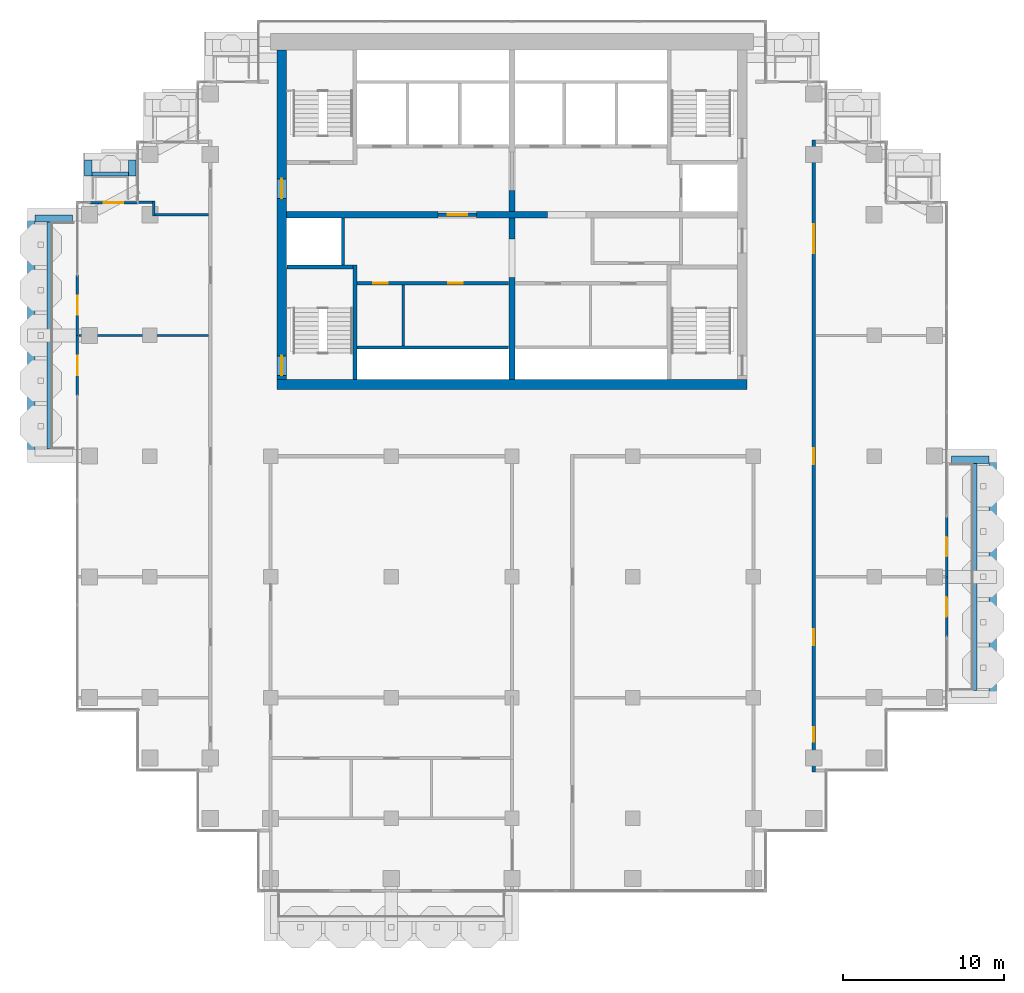
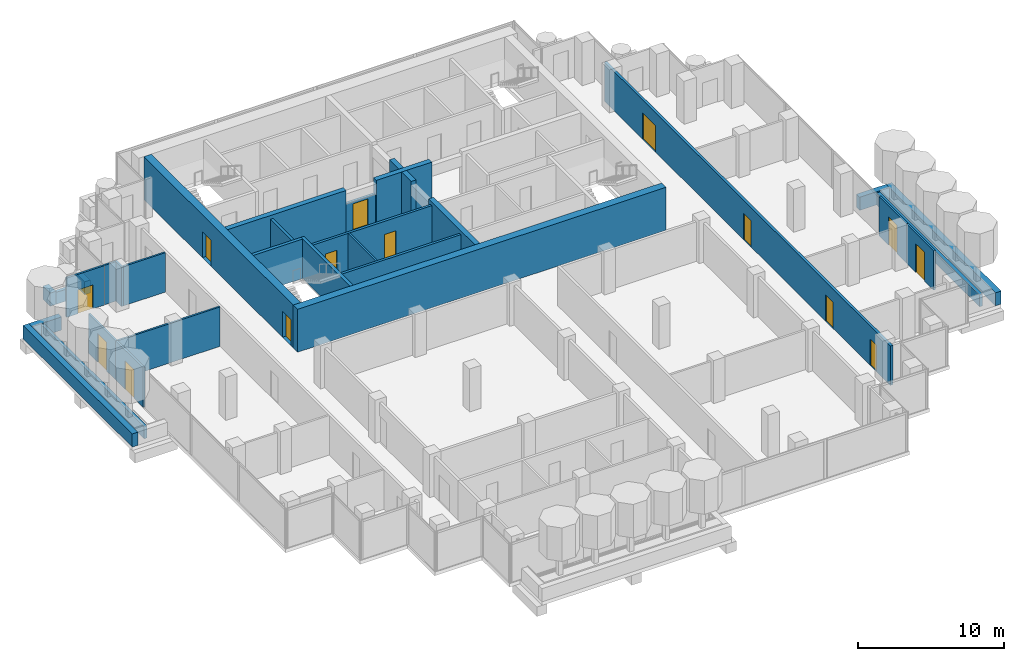
# One storey, part 12 of 17: 33 walls, 14 doors, 14 openings.
"""IFC4 building model written with IfcOpenShell, lengths in metres."""

import ifcopenshell
import ifcopenshell.guid

model = None  # the IFC model being written
_history = None  # IfcOwnerHistory: only IFC2X3 demands one
_inside = {}  # id of a spatial element -> (the spatial element, [elements in it])
_under = {}  # id of a project, library or spatial element -> (it, [spatial elements below it])
_declared = {}  # id of a project -> (the project, [libraries it declares])
_typed = {}  # id of a type object -> (the type object, [elements of that type])
_made_of = {}  # id of a material, layer set ... -> (it, [elements and type objects made of it])


def new_model(schema):
    """Start an empty IFC model of exactly this schema.

    Asked for "IFC4X3", IfcOpenShell would pick the latest addendum, in which some entities
    have other attributes; the version numbers below select the first issue.
    IFC2X3 requires an IfcOwnerHistory on every rooted entity: one is made here for all.
    """
    global model, _history
    if schema == "IFC4X3":
        model = ifcopenshell.file(schema_version=(4, 3, 0, 0))
    else:
        model = ifcopenshell.file(schema=schema)
    _inside.clear()
    _under.clear()
    _declared.clear()
    _typed.clear()
    _made_of.clear()
    _history = None
    if model.schema == "IFC2X3":
        org = make("IfcOrganization", Name="unknown")
        user = make(
            "IfcPersonAndOrganization",
            ThePerson=make("IfcPerson", FamilyName="unknown"),
            TheOrganization=org,
        )
        app = make(
            "IfcApplication",
            ApplicationDeveloper=org,
            Version="unknown",
            ApplicationFullName="unknown",
            ApplicationIdentifier="unknown",
        )
        _history = make(
            "IfcOwnerHistory",
            OwningUser=user,
            OwningApplication=app,
            ChangeAction="ADDED",
            CreationDate=0,
        )
    return model


def make(cls, **values):
    """One entity of the class cls with the attributes given. An attribute that is None is left unset."""
    return model.create_entity(
        cls, **{name: value for name, value in values.items() if value is not None}
    )


def rooted(cls, **values):
    """An entity with a GlobalId (a new one), such as an element, a storey or a relation."""
    return make(cls, GlobalId=ifcopenshell.guid.new(), OwnerHistory=_history, **values)


def si_unit(unit_type, name, prefix=None):
    """IfcSIUnit, for example si_unit("LENGTHUNIT", "METRE", prefix="MILLI")."""
    return make("IfcSIUnit", UnitType=unit_type, Prefix=prefix, Name=name)


def assignment(units):
    """IfcUnitAssignment: the units of a project."""
    return None if units is None else make("IfcUnitAssignment", Units=units)


def point(xyz):
    """IfcCartesianPoint."""
    return None if xyz is None else make("IfcCartesianPoint", Coordinates=xyz)


def direction(xyz):
    """IfcDirection."""
    return None if xyz is None else make("IfcDirection", DirectionRatios=xyz)


def frame(location, z_axis=None, x_axis=None):
    """IfcAxis2Placement3D, a coordinate frame: its origin and axes. An axis left out is left unset."""
    return make(
        "IfcAxis2Placement3D",
        Location=point(location),
        Axis=direction(z_axis),
        RefDirection=direction(x_axis),
    )


def frame_2d(location, x_axis=None):
    """IfcAxis2Placement2D, a coordinate frame in the plane: its origin and x axis."""
    return make(
        "IfcAxis2Placement2D", Location=point(location), RefDirection=direction(x_axis)
    )


def origin():
    """The frame at (0, 0, 0) with its axes left unset."""
    return frame((0.0, 0.0, 0.0))


def place(relative_to, where):
    """IfcLocalPlacement: puts the frame where relative to a parent placement (None: the world)."""
    return make(
        "IfcLocalPlacement", PlacementRelTo=relative_to, RelativePlacement=where
    )


def context(
    kind, dimensions, precision=None, world=None, true_north=None, identifier=None
):
    """IfcGeometricRepresentationContext, for example the 3D "Model" context."""
    return make(
        "IfcGeometricRepresentationContext",
        ContextIdentifier=identifier,
        ContextType=kind,
        CoordinateSpaceDimension=dimensions,
        Precision=precision,
        WorldCoordinateSystem=world,
        TrueNorth=true_north,
    )


def subcontext(parent, identifier, kind, view, scale=None):
    """IfcGeometricRepresentationSubContext, for example "Body" below "Model"."""
    return make(
        "IfcGeometricRepresentationSubContext",
        ContextIdentifier=identifier,
        ContextType=kind,
        ParentContext=parent,
        TargetScale=scale,
        TargetView=view,
    )


def project(units=None, contexts=None):
    """IfcProject with its units and contexts."""
    return rooted(
        "IfcProject",
        Name="project",
        RepresentationContexts=contexts,
        UnitsInContext=assignment(units),
    )


def spatial(cls, under=None, at=None, **own):
    """A site, building, storey or space (cls), placed at a placement, below another one or the project."""
    s = rooted(cls, ObjectPlacement=at, **own)
    if under is not None:
        _under.setdefault(under.id(), (under, []))[1].append(s)
    return s


def profile(cls, at=None, kind="AREA", **sizes):
    """A parametric profile (cls). Its sizes go by their IFC names, for example OverallWidth=200.0."""
    return make(cls, ProfileType=kind, Position=at, **sizes)


def rectangle(**sizes):
    """IfcRectangleProfileDef."""
    return profile("IfcRectangleProfileDef", **sizes)


def extrude(swept, where, along, depth):
    """IfcExtrudedAreaSolid: the profile swept, set in the frame where, extruded along a direction by depth."""
    return make(
        "IfcExtrudedAreaSolid",
        SweptArea=swept,
        Position=where,
        ExtrudedDirection=direction(along),
        Depth=depth,
    )


def shape(context_of_items, identifier, shape_type, items):
    """IfcShapeRepresentation: the items that make up one representation, for example the "Body"."""
    return make(
        "IfcShapeRepresentation",
        ContextOfItems=context_of_items,
        RepresentationIdentifier=identifier,
        RepresentationType=shape_type,
        Items=items,
    )


def material(Name=None, Category=None):
    """IfcMaterial."""
    return make("IfcMaterial", Name=Name, Category=Category)


def layer(
    of_material, thickness, ventilated=None, Name=None, Category=None, Priority=None
):
    """IfcMaterialLayer: one layer of a wall or slab, of a material (None: an air gap)."""
    return make(
        "IfcMaterialLayer",
        Material=of_material,
        LayerThickness=thickness,
        IsVentilated=ventilated,
        Name=Name,
        Category=Category,
        Priority=Priority,
    )


def layer_set(layers, Name=None):
    """IfcMaterialLayerSet."""
    return make("IfcMaterialLayerSet", MaterialLayers=layers, LayerSetName=Name)


def made_of(thing, what):
    """Note that an element or type object is made of a material, layer set ...; save() writes the relation."""
    if what is not None:
        _made_of.setdefault(what.id(), (what, []))[1].append(thing)
    return thing


def type_object(cls, material=None, **own):
    """A type object (cls), such as IfcWallType, which elements share."""
    return made_of(rooted(cls, **own), material)


def element(
    cls,
    number,
    at=None,
    inside=None,
    cuts=None,
    type_object=None,
    material=None,
    context=None,
    identifier="Body",
    shape_type=None,
    held_by="IfcProductDefinitionShape",
    body=None,
    shapes=None,
    **own,
):
    """One element of the class cls, such as IfcWall. Its Tag is "e" and its number.

    at: its placement. inside: the storey or other place that contains it. cuts: it is an
    opening in that element (IfcRelVoidsElement). A single representation is given by context,
    identifier, shape_type and body (its items); several are given by shapes. held_by: the class
    of the entity that holds the representations. save() writes the other relations.
    """
    e = rooted(cls, Tag="e%d" % number, ObjectPlacement=at, **own)
    if body is not None:
        shapes = [shape(context, identifier, shape_type, body)]
    if shapes is not None:
        e.Representation = make(held_by, Representations=shapes)
    if inside is not None:
        _inside.setdefault(inside.id(), (inside, []))[1].append(e)
    if cuts is not None:
        rooted(
            "IfcRelVoidsElement", RelatingBuildingElement=cuts, RelatedOpeningElement=e
        )
    if type_object is not None:
        _typed.setdefault(type_object.id(), (type_object, []))[1].append(e)
    return made_of(e, material)


def fill(opening, filler):
    """IfcRelFillsElement: the door or window that sits in an opening."""
    return rooted(
        "IfcRelFillsElement",
        RelatingOpeningElement=opening,
        RelatedBuildingElement=filler,
    )


def aggregate(whole, parts):
    """IfcRelAggregates: a whole, such as a stair, and the parts it consists of."""
    return rooted("IfcRelAggregates", RelatingObject=whole, RelatedObjects=parts)


def save(model, path):
    """Write the relations noted so far, then the file.

    IfcRelAggregates (storeys below a building ...), IfcRelContainedInSpatialStructure (elements
    in a storey), IfcRelDefinesByType, IfcRelAssociatesMaterial and IfcRelDeclares: one each for
    every whole, place, type object, material and project.
    """
    for whole, parts in _under.values():
        aggregate(whole, parts)
    for where, things in _inside.values():
        rooted(
            "IfcRelContainedInSpatialStructure",
            RelatedElements=things,
            RelatingStructure=where,
        )
    for kind, things in _typed.values():
        rooted("IfcRelDefinesByType", RelatedObjects=things, RelatingType=kind)
    for what, things in _made_of.values():
        rooted("IfcRelAssociatesMaterial", RelatedObjects=things, RelatingMaterial=what)
    for by, libraries in _declared.values():
        rooted("IfcRelDeclares", RelatingContext=by, RelatedDefinitions=libraries)
    model.write(path)


model = new_model("IFC4")

# Units and contexts
model_context = context("Model", 3, precision=1e-05, world=origin(), true_north=direction((0.0, 1.0)))
body_context = subcontext(model_context, "Body", "Model", "MODEL_VIEW")
ifc_project = project(units=[si_unit("LENGTHUNIT", "METRE"), si_unit("AREAUNIT", "SQUARE_METRE"), si_unit("VOLUMEUNIT", "CUBIC_METRE"), si_unit("PLANEANGLEUNIT", "RADIAN"), si_unit("MASSUNIT", "GRAM", prefix="KILO")], contexts=[model_context])

# Site, building, storey
site_placement = place(None, origin())
site = spatial("IfcSite", under=ifc_project, at=site_placement, CompositionType="ELEMENT")
building_placement = place(site_placement, origin())
building = spatial("IfcBuilding", under=site, at=building_placement, Name="Pilkhan Gate Tower", CompositionType="ELEMENT")
storey_placement = place(building_placement, frame((0.0, 0.0, 213.89990234375)))
storey = spatial("IfcBuildingStorey", under=building, at=storey_placement, Name="L55", CompositionType="ELEMENT", Elevation=213.89990234375)

# Walls
ifc_material_1 = material(Name="Concrete C40/50", Category="concrete")
ifc_layer_1 = layer(ifc_material_1, 0.25)
ifc_layer_set_1 = layer_set([ifc_layer_1], Name="Balcony planter BP250")
wall_type_1 = type_object("IfcWallType", Name="Balcony planter BP250", PredefinedType="USERDEFINED", material=ifc_layer_set_1)
wall_1_placement = place(storey_placement, frame((103.77490234375, 52.949951171875, 0.0), z_axis=(0.0, 0.0, 1.0), x_axis=(0.0, 1.0, 0.0)))
element("IfcWall", 1, at=wall_1_placement, inside=storey, type_object=wall_type_1, Name="Balcony planter L55 E", ObjectType="BALCONY PLANTER", PredefinedType="USERDEFINED", context=body_context, shape_type="SweptSolid", body=[
    extrude(rectangle(XDim=14.10009765625, YDim=0.25, at=frame_2d((7.050048828125, 0.0))), origin(), (0.0, 0.0, 1.0), 1.0),
])
wall_2_placement = place(storey_placement, frame((48.89990234375, 85.02490234375, 0.0), z_axis=(0.0, 0.0, 1.0), x_axis=(1.0, 0.0, 0.0)))
element("IfcWall", 2, at=wall_2_placement, inside=storey, type_object=wall_type_1, Name="Balcony planter L55 N", ObjectType="BALCONY PLANTER", PredefinedType="USERDEFINED", context=body_context, shape_type="SweptSolid", body=[
    extrude(rectangle(XDim=2.280029296875, YDim=0.25, at=frame_2d((1.14013671875, 0.0))), origin(), (0.0, 0.0, 1.0), 1.0),
])
wall_3_placement = place(storey_placement, frame((46.22509765625, 67.949951171875, 0.0), z_axis=(0.0, 0.0, 1.0), x_axis=(0.0, 1.0, 0.0)))
element("IfcWall", 3, at=wall_3_placement, inside=storey, type_object=wall_type_1, Name="Balcony planter L55 W", ObjectType="BALCONY PLANTER", PredefinedType="USERDEFINED", context=body_context, shape_type="SweptSolid", body=[
    extrude(rectangle(XDim=14.10009765625, YDim=0.25, at=frame_2d((7.050048828125, 0.0))), origin(), (0.0, 0.0, 1.0), 1.0),
])
ifc_material_2 = material(Name="Board-marked Concrete C40/50", Category="concrete")
ifc_layer_2 = layer(ifc_material_2, 0.449951171875)
ifc_layer_set_2 = layer_set([ifc_layer_2], Name="Balcony planter lip BL450")
wall_type_2 = type_object("IfcWallType", Name="Balcony planter lip BL450", PredefinedType="USERDEFINED", material=ifc_layer_set_2)
wall_4_placement = place(storey_placement, frame((104.875, 52.5, 0.0), z_axis=(0.0, 0.0, 1.0), x_axis=(0.0, 1.0, 0.0)))
element("IfcWall", 4, at=wall_4_placement, inside=storey, type_object=wall_type_2, Name="Balcony planter L55 E", ObjectType="BALCONY PLANTER", PredefinedType="USERDEFINED", context=body_context, shape_type="SweptSolid", body=[
    extrude(rectangle(XDim=15.0, YDim=0.449951171875, at=frame_2d((7.5, 0.0))), origin(), (0.0, 0.0, 1.0), 1.10009765625),
])
wall_5_placement = place(storey_placement, frame((102.300048828125, 67.27490234375, 0.0), z_axis=(0.0, 0.0, 1.0), x_axis=(1.0, 0.0, 0.0)))
element("IfcWall", 5, at=wall_5_placement, inside=storey, type_object=wall_type_2, Name="Balcony planter L55 E", ObjectType="BALCONY PLANTER", PredefinedType="USERDEFINED", context=body_context, shape_type="SweptSolid", body=[
    extrude(rectangle(XDim=2.349853515625, YDim=0.449951171875, at=frame_2d((1.1748046875, 0.0))), origin(), (0.0, 0.0, 1.0), 1.10009765625),
])
for number, where, z_axis, x_axis, name in (
    (6, (48.675048828125, 84.89990234375, 0.0), (0.0, 0.0, 1.0), (0.0, 1.0, 0.0), "Balcony planter L55 N"),
    (7, (51.405029296875, 84.89990234375, 0.0), (0.0, 0.0, 1.0), (0.0, 1.0, 0.0), "Balcony planter L55 N"),
):
    element("IfcWall", number, at=place(storey_placement, frame(where, z_axis=z_axis, x_axis=x_axis)), inside=storey, type_object=wall_type_2, Name=name, ObjectType="BALCONY PLANTER", PredefinedType="USERDEFINED", context=body_context, shape_type="SweptSolid", body=[
        extrude(rectangle(XDim=1.0, YDim=0.449951171875, at=frame_2d((0.5, 0.0))), origin(), (0.0, 0.0, 1.0), 1.10009765625),
    ])
wall_6_placement = place(storey_placement, frame((45.125, 67.5, 0.0), z_axis=(0.0, 0.0, 1.0), x_axis=(0.0, 1.0, 0.0)))
element("IfcWall", 8, at=wall_6_placement, inside=storey, type_object=wall_type_2, Name="Balcony planter L55 W", ObjectType="BALCONY PLANTER", PredefinedType="USERDEFINED", context=body_context, shape_type="SweptSolid", body=[
    extrude(rectangle(XDim=15.0, YDim=0.449951171875, at=frame_2d((7.5, 0.0))), origin(), (0.0, 0.0, 1.0), 1.10009765625),
])
wall_7_placement = place(storey_placement, frame((47.699951171875, 82.27490234375, 0.0), z_axis=(0.0, 0.0, 1.0), x_axis=(-1.0, 0.0, 0.0)))
element("IfcWall", 9, at=wall_7_placement, inside=storey, type_object=wall_type_2, Name="Balcony planter L55 W", ObjectType="BALCONY PLANTER", PredefinedType="USERDEFINED", context=body_context, shape_type="SweptSolid", body=[
    extrude(rectangle(XDim=2.349853515625, YDim=0.449951171875, at=frame_2d((1.1748046875, 0.0))), origin(), (0.0, 0.0, 1.0), 1.10009765625),
])
ifc_material_3 = material(Name="Concrete C50/60", Category="concrete")
ifc_layer_3 = layer(ifc_material_3, 0.60009765625)
ifc_layer_set_3 = layer_set([ifc_layer_3], Name="Core wall CW600 C50/60")
wall_type_3 = type_object("IfcWallType", Name="Core wall CW600 C50/60", PredefinedType="SHEAR", material=ifc_layer_set_3)
wall_8_placement = place(storey_placement, frame((60.39990234375, 71.949951171875, 0.0), z_axis=(0.0, 0.0, 1.0), x_axis=(1.0, 0.0, 0.0)))
element("IfcWall", 10, at=wall_8_placement, inside=storey, type_object=wall_type_3, Name="Core wall S L55", PredefinedType="SHEAR", context=body_context, shape_type="SweptSolid", body=[
    extrude(rectangle(XDim=29.2001953125, YDim=0.60009765625, at=frame_2d((14.60009765625, 0.0))), origin(), (0.0, 0.0, 1.0), 3.60009765625),
])

# Wall, openings, doors
wall_9_placement = place(storey_placement, frame((60.699951171875, 92.75, 0.0), z_axis=(0.0, 0.0, 1.0), x_axis=(0.0, -1.0, 0.0)))
wall_9 = element("IfcWall", 11, at=wall_9_placement, inside=storey, type_object=wall_type_3, Name="Core wall W L55", PredefinedType="SHEAR", context=body_context, shape_type="SweptSolid", body=[
    extrude(rectangle(XDim=20.5, YDim=0.60009765625, at=frame_2d((10.25, 0.0))), origin(), (0.0, 0.0, 1.0), 3.60009765625),
])
opening_1_placement = place(wall_9_placement, frame((19.02490234375, 0.0, 0.0)))
opening_1 = element("IfcOpeningElement", 12, at=opening_1_placement, cuts=wall_9, Name="Opening L55-04", PredefinedType="OPENING", context=body_context, shape_type="SweptSolid", body=[
    extrude(rectangle(XDim=1.199951171875, YDim=2.199951171875, at=frame_2d((0.60009765625, 1.10009765625))), frame((0.0, 0.31005859375, 0.0), z_axis=(0.0, -1.0, 0.0), x_axis=(1.0, 0.0, 0.0)), (0.0, 0.0, 1.0), 0.6201171875),
])
opening_2_placement = place(wall_9_placement, frame((8.02490234375, 0.0, 0.0)))
opening_2 = element("IfcOpeningElement", 13, at=opening_2_placement, cuts=wall_9, Name="Opening L55-08", PredefinedType="OPENING", context=body_context, shape_type="SweptSolid", body=[
    extrude(rectangle(XDim=1.199951171875, YDim=2.199951171875, at=frame_2d((0.60009765625, 1.10009765625))), frame((0.0, 0.31005859375, 0.0), z_axis=(0.0, -1.0, 0.0), x_axis=(1.0, 0.0, 0.0)), (0.0, 0.0, 1.0), 0.6201171875),
])
ifc_material_4 = material(Name="Steel door, 120 minute fire resisting, self-closing", Category="steel")
door_type_1 = type_object("IfcDoorType", Name="Firefighting lobby door D10 1200x2200", OperationType="SINGLE_SWING_LEFT", PredefinedType="DOOR", material=ifc_material_4)
door_1_placement = place(opening_2_placement, origin())
door_1 = element("IfcDoor", 14, at=door_1_placement, inside=storey, type_object=door_type_1, Name="Core door", OperationType="SINGLE_SWING_LEFT", OverallHeight=2.199951171875, OverallWidth=1.199951171875, PredefinedType="DOOR", context=body_context, shape_type="SweptSolid", body=[
    extrude(rectangle(XDim=1.199951171875, YDim=2.199951171875, at=frame_2d((0.60009765625, 1.10009765625))), frame((0.0, 0.02490234375, 0.0), z_axis=(0.0, -1.0, 0.0), x_axis=(1.0, 0.0, 0.0)), (0.0, 0.0, 1.0), 0.050048828125),
])
fill(opening_2, door_1)
ifc_material_5 = material(Name="Steel door, 120 minute fire resisting, panic bar", Category="steel")
door_type_2 = type_object("IfcDoorType", Name="Stair door D11 1200x2200", OperationType="SINGLE_SWING_LEFT", PredefinedType="DOOR", material=ifc_material_5)
door_2_placement = place(opening_1_placement, origin())
door_2 = element("IfcDoor", 15, at=door_2_placement, inside=storey, type_object=door_type_2, Name="Stair ST2 door", OperationType="SINGLE_SWING_RIGHT", OverallHeight=2.199951171875, OverallWidth=1.199951171875, PredefinedType="DOOR", context=body_context, shape_type="SweptSolid", body=[
    extrude(rectangle(XDim=1.199951171875, YDim=2.199951171875, at=frame_2d((0.60009765625, 1.10009765625))), frame((0.0, 0.02490234375, 0.0), z_axis=(0.0, -1.0, 0.0), x_axis=(1.0, 0.0, 0.0)), (0.0, 0.0, 1.0), 0.050048828125),
])
fill(opening_1, door_2)

ifc_material_6 = material(Name="Dense blockwork", Category="masonry")
ifc_layer_4 = layer(ifc_material_6, 0.199951171875)
ifc_layer_set_4 = layer_set([ifc_layer_4], Name="Corridor wall FW200")
wall_type_4 = type_object("IfcWallType", Name="Corridor wall FW200", PredefinedType="PARTITIONING", material=ifc_layer_set_4)
wall_10_placement = place(storey_placement, frame((93.75, 47.8701171875, 0.0), z_axis=(0.0, 0.0, 1.0), x_axis=(0.0, 1.0, 0.0)))
wall_10 = element("IfcWall", 16, at=wall_10_placement, inside=storey, type_object=wall_type_4, Name="Partition L55", PredefinedType="PARTITIONING", context=body_context, shape_type="SweptSolid", body=[
    extrude(rectangle(XDim=39.259765625, YDim=0.199951171875, at=frame_2d((19.6298828125, 0.0))), origin(), (0.0, 0.0, 1.0), 3.300048828125),
])
opening_3_placement = place(wall_10_placement, frame((1.89990234375, 0.0, 0.0)))
opening_3 = element("IfcOpeningElement", 17, at=opening_3_placement, cuts=wall_10, Name="Opening L55-24", PredefinedType="OPENING", context=body_context, shape_type="SweptSolid", body=[
    extrude(rectangle(XDim=0.89990234375, YDim=2.199951171875, at=frame_2d((0.449951171875, 1.10009765625))), frame((0.0, 0.10986328125, 0.0), z_axis=(0.0, -1.0, 0.0), x_axis=(1.0, 0.0, 0.0)), (0.0, 0.0, 1.0), 0.219970703125),
])
opening_4_placement = place(wall_10_placement, frame((7.8798828125, 0.0, 0.0)))
opening_4 = element("IfcOpeningElement", 18, at=opening_4_placement, cuts=wall_10, Name="Opening L55-25", PredefinedType="OPENING", context=body_context, shape_type="SweptSolid", body=[
    extrude(rectangle(XDim=1.0, YDim=2.199951171875, at=frame_2d((0.5, 1.10009765625))), frame((0.0, 0.10986328125, 0.0), z_axis=(0.0, -1.0, 0.0), x_axis=(1.0, 0.0, 0.0)), (0.0, 0.0, 1.0), 0.219970703125),
])
opening_5_placement = place(wall_10_placement, frame((19.1298828125, 0.0, 0.0)))
opening_5 = element("IfcOpeningElement", 19, at=opening_5_placement, cuts=wall_10, Name="Opening L55-26", PredefinedType="OPENING", context=body_context, shape_type="SweptSolid", body=[
    extrude(rectangle(XDim=1.0, YDim=2.199951171875, at=frame_2d((0.5, 1.10009765625))), frame((0.0, 0.10986328125, 0.0), z_axis=(0.0, -1.0, 0.0), x_axis=(1.0, 0.0, 0.0)), (0.0, 0.0, 1.0), 0.219970703125),
])
opening_6_placement = place(wall_10_placement, frame((32.22998046875, 0.0, 0.0)))
opening_6 = element("IfcOpeningElement", 20, at=opening_6_placement, cuts=wall_10, Name="Opening L55-29", PredefinedType="OPENING", context=body_context, shape_type="SweptSolid", body=[
    extrude(rectangle(XDim=1.800048828125, YDim=2.199951171875, at=frame_2d((0.89990234375, 1.10009765625))), frame((0.0, 0.10986328125, 0.0), z_axis=(0.0, -1.0, 0.0), x_axis=(1.0, 0.0, 0.0)), (0.0, 0.0, 1.0), 0.219970703125),
])
ifc_material_7 = material(Name="Timber glazed double door, 30 minute fire resisting", Category="wood")
door_type_3 = type_object("IfcDoorType", Name="Double door D04 1800x2200", OperationType="DOUBLE_DOOR_SINGLE_SWING", PredefinedType="DOOR", material=ifc_material_7)
door_3_placement = place(opening_6_placement, origin())
door_3 = element("IfcDoor", 21, at=door_3_placement, inside=storey, type_object=door_type_3, Name="Double door", OperationType="DOUBLE_DOOR_SINGLE_SWING", OverallHeight=2.199951171875, OverallWidth=1.800048828125, PredefinedType="DOOR", context=body_context, shape_type="SweptSolid", body=[
    extrude(rectangle(XDim=1.800048828125, YDim=2.199951171875, at=frame_2d((0.89990234375, 1.10009765625))), frame((0.0, 0.02490234375, 0.0), z_axis=(0.0, -1.0, 0.0), x_axis=(1.0, 0.0, 0.0)), (0.0, 0.0, 1.0), 0.050048828125),
])
fill(opening_6, door_3)
ifc_material_8 = material(Name="Timber flush door, 30 minute fire resisting", Category="wood")
door_type_4 = type_object("IfcDoorType", Name="Room door D03 1000x2200", OperationType="SINGLE_SWING_LEFT", PredefinedType="DOOR", material=ifc_material_8)
door_4_placement = place(opening_4_placement, origin())
door_4 = element("IfcDoor", 22, at=door_4_placement, inside=storey, type_object=door_type_4, Name="Room door", OperationType="SINGLE_SWING_LEFT", OverallHeight=2.199951171875, OverallWidth=1.0, PredefinedType="DOOR", context=body_context, shape_type="SweptSolid", body=[
    extrude(rectangle(XDim=1.0, YDim=2.199951171875, at=frame_2d((0.5, 1.10009765625))), frame((0.0, 0.02490234375, 0.0), z_axis=(0.0, -1.0, 0.0), x_axis=(1.0, 0.0, 0.0)), (0.0, 0.0, 1.0), 0.050048828125),
])
fill(opening_4, door_4)
door_5_placement = place(opening_5_placement, origin())
door_5 = element("IfcDoor", 23, at=door_5_placement, inside=storey, type_object=door_type_4, Name="Room door", OperationType="SINGLE_SWING_LEFT", OverallHeight=2.199951171875, OverallWidth=1.0, PredefinedType="DOOR", context=body_context, shape_type="SweptSolid", body=[
    extrude(rectangle(XDim=1.0, YDim=2.199951171875, at=frame_2d((0.5, 1.10009765625))), frame((0.0, 0.02490234375, 0.0), z_axis=(0.0, -1.0, 0.0), x_axis=(1.0, 0.0, 0.0)), (0.0, 0.0, 1.0), 0.050048828125),
])
fill(opening_5, door_5)
ifc_material_9 = material(Name="Timber flush door, 60 minute fire resisting, self-closing", Category="wood")
door_type_5 = type_object("IfcDoorType", Name="Store door D05 900x2200", OperationType="SINGLE_SWING_LEFT", PredefinedType="DOOR", material=ifc_material_9)
door_6_placement = place(opening_3_placement, origin())
door_6 = element("IfcDoor", 24, at=door_6_placement, inside=storey, type_object=door_type_5, Name="Store door", OperationType="SINGLE_SWING_RIGHT", OverallHeight=2.199951171875, OverallWidth=0.89990234375, PredefinedType="DOOR", context=body_context, shape_type="SweptSolid", body=[
    extrude(rectangle(XDim=0.89990234375, YDim=2.199951171875, at=frame_2d((0.449951171875, 1.10009765625))), frame((0.0, 0.02490234375, 0.0), z_axis=(0.0, -1.0, 0.0), x_axis=(1.0, 0.0, 0.0)), (0.0, 0.0, 1.0), 0.050048828125),
])
fill(opening_3, door_6)

# Wall, opening, door
ifc_material_10 = material(Name="Pale anodised aluminium, clear laminated glazing", Category="aluminium")
ifc_layer_5 = layer(ifc_material_10, 0.14990234375)
ifc_layer_set_5 = layer_set([ifc_layer_5], Name="Facade infill wall IW150")
wall_type_5 = type_object("IfcWallType", Name="Facade infill wall IW150", PredefinedType="SOLIDWALL", material=ifc_layer_set_5)
wall_11_placement = place(storey_placement, frame((102.0, 56.25, 0.0), z_axis=(0.0, 0.0, 1.0), x_axis=(0.0, 1.0, 0.0)))
wall_11 = element("IfcWall", 25, at=wall_11_placement, inside=storey, type_object=wall_type_5, Name="Infill wall L55 E", PredefinedType="SOLIDWALL", context=body_context, shape_type="SweptSolid", body=[
    extrude(rectangle(XDim=3.75, YDim=0.14990234375, at=frame_2d((1.875, 0.0))), origin(), (0.0, 0.0, 1.0), 3.300048828125),
])
opening_7_placement = place(wall_11_placement, frame((1.27490234375, 0.0, 0.0)))
opening_7 = element("IfcOpeningElement", 26, at=opening_7_placement, cuts=wall_11, Name="Opening D1", PredefinedType="OPENING", context=body_context, shape_type="SweptSolid", body=[
    extrude(rectangle(XDim=1.199951171875, YDim=2.39990234375, at=frame_2d((0.60009765625, 1.199951171875))), frame((0.0, 0.0849609375, 0.0), z_axis=(0.0, -1.0, 0.0), x_axis=(1.0, 0.0, 0.0)), (0.0, 0.0, 1.0), 0.169921875),
])
ifc_material_11 = material(Name="Pale anodised aluminium, clear glazing", Category="aluminium")
door_type_6 = type_object("IfcDoorType", Name="Balcony door D1 1200x2400", OperationType="SINGLE_SWING_LEFT", PredefinedType="DOOR", material=ifc_material_11)
door_7_placement = place(opening_7_placement, origin())
door_7 = element("IfcDoor", 27, at=door_7_placement, inside=storey, type_object=door_type_6, Name="Balcony door L55", OperationType="SINGLE_SWING_LEFT", OverallHeight=2.39990234375, OverallWidth=1.199951171875, PredefinedType="DOOR", context=body_context, shape_type="SweptSolid", body=[
    extrude(rectangle(XDim=1.199951171875, YDim=2.39990234375, at=frame_2d((0.60009765625, 1.199951171875))), frame((0.0, 0.02490234375, 0.0), z_axis=(0.0, -1.0, 0.0), x_axis=(1.0, 0.0, 0.0)), (0.0, 0.0, 1.0), 0.050048828125),
])
fill(opening_7, door_7)

wall_12_placement = place(storey_placement, frame((102.0, 60.0, 0.0), z_axis=(0.0, 0.0, 1.0), x_axis=(0.0, 1.0, 0.0)))
wall_12 = element("IfcWall", 28, at=wall_12_placement, inside=storey, type_object=wall_type_5, Name="Infill wall L55 E", PredefinedType="SOLIDWALL", context=body_context, shape_type="SweptSolid", body=[
    extrude(rectangle(XDim=3.75, YDim=0.14990234375, at=frame_2d((1.875, 0.0))), origin(), (0.0, 0.0, 1.0), 3.300048828125),
])
opening_8_placement = place(wall_12_placement, frame((1.27490234375, 0.0, 0.0)))
opening_8 = element("IfcOpeningElement", 29, at=opening_8_placement, cuts=wall_12, Name="Opening D1", PredefinedType="OPENING", context=body_context, shape_type="SweptSolid", body=[
    extrude(rectangle(XDim=1.199951171875, YDim=2.39990234375, at=frame_2d((0.60009765625, 1.199951171875))), frame((0.0, 0.0849609375, 0.0), z_axis=(0.0, -1.0, 0.0), x_axis=(1.0, 0.0, 0.0)), (0.0, 0.0, 1.0), 0.169921875),
])
door_8_placement = place(opening_8_placement, origin())
door_8 = element("IfcDoor", 30, at=door_8_placement, inside=storey, type_object=door_type_6, Name="Balcony door L55", OperationType="SINGLE_SWING_LEFT", OverallHeight=2.39990234375, OverallWidth=1.199951171875, PredefinedType="DOOR", context=body_context, shape_type="SweptSolid", body=[
    extrude(rectangle(XDim=1.199951171875, YDim=2.39990234375, at=frame_2d((0.60009765625, 1.199951171875))), frame((0.0, 0.02490234375, 0.0), z_axis=(0.0, -1.0, 0.0), x_axis=(1.0, 0.0, 0.0)), (0.0, 0.0, 1.0), 0.050048828125),
])
fill(opening_8, door_8)

wall_13_placement = place(storey_placement, frame((48.75, 83.25, 0.0), z_axis=(0.0, 0.0, 1.0), x_axis=(1.0, 0.0, 0.0)))
wall_13 = element("IfcWall", 31, at=wall_13_placement, inside=storey, type_object=wall_type_5, Name="Infill wall L55 N", PredefinedType="SOLIDWALL", context=body_context, shape_type="SweptSolid", body=[
    extrude(rectangle(XDim=3.0, YDim=0.14990234375, at=frame_2d((1.5, 0.0))), origin(), (0.0, 0.0, 1.0), 3.300048828125),
])
opening_9_placement = place(wall_13_placement, frame((0.89990234375, 0.0, 0.0)))
opening_9 = element("IfcOpeningElement", 32, at=opening_9_placement, cuts=wall_13, Name="Opening D1L", PredefinedType="OPENING", context=body_context, shape_type="SweptSolid", body=[
    extrude(rectangle(XDim=1.199951171875, YDim=2.0, at=frame_2d((0.60009765625, 1.0))), frame((0.0, 0.0849609375, 0.0), z_axis=(0.0, -1.0, 0.0), x_axis=(1.0, 0.0, 0.0)), (0.0, 0.0, 1.0), 0.169921875),
])
door_type_7 = type_object("IfcDoorType", Name="Balcony door D1L 1200x2000", OperationType="SINGLE_SWING_LEFT", PredefinedType="DOOR", material=ifc_material_11)
door_9_placement = place(opening_9_placement, origin())
door_9 = element("IfcDoor", 33, at=door_9_placement, inside=storey, type_object=door_type_7, Name="Balcony door L55", OperationType="SINGLE_SWING_LEFT", OverallHeight=2.0, OverallWidth=1.199951171875, PredefinedType="DOOR", context=body_context, shape_type="SweptSolid", body=[
    extrude(rectangle(XDim=1.199951171875, YDim=2.0, at=frame_2d((0.60009765625, 1.0))), frame((0.0, 0.02490234375, 0.0), z_axis=(0.0, -1.0, 0.0), x_axis=(1.0, 0.0, 0.0)), (0.0, 0.0, 1.0), 0.050048828125),
])
fill(opening_9, door_9)

wall_14_placement = place(storey_placement, frame((48.0, 71.25, 0.0), z_axis=(0.0, 0.0, 1.0), x_axis=(0.0, 1.0, 0.0)))
wall_14 = element("IfcWall", 34, at=wall_14_placement, inside=storey, type_object=wall_type_5, Name="Infill wall L55 W", PredefinedType="SOLIDWALL", context=body_context, shape_type="SweptSolid", body=[
    extrude(rectangle(XDim=3.75, YDim=0.14990234375, at=frame_2d((1.875, 0.0))), origin(), (0.0, 0.0, 1.0), 3.300048828125),
])
opening_10_placement = place(wall_14_placement, frame((1.27490234375, 0.0, 0.0)))
opening_10 = element("IfcOpeningElement", 35, at=opening_10_placement, cuts=wall_14, Name="Opening D1", PredefinedType="OPENING", context=body_context, shape_type="SweptSolid", body=[
    extrude(rectangle(XDim=1.199951171875, YDim=2.39990234375, at=frame_2d((0.60009765625, 1.199951171875))), frame((0.0, 0.0849609375, 0.0), z_axis=(0.0, -1.0, 0.0), x_axis=(1.0, 0.0, 0.0)), (0.0, 0.0, 1.0), 0.169921875),
])
door_10_placement = place(opening_10_placement, origin())
door_10 = element("IfcDoor", 36, at=door_10_placement, inside=storey, type_object=door_type_6, Name="Balcony door L55", OperationType="SINGLE_SWING_LEFT", OverallHeight=2.39990234375, OverallWidth=1.199951171875, PredefinedType="DOOR", context=body_context, shape_type="SweptSolid", body=[
    extrude(rectangle(XDim=1.199951171875, YDim=2.39990234375, at=frame_2d((0.60009765625, 1.199951171875))), frame((0.0, 0.02490234375, 0.0), z_axis=(0.0, -1.0, 0.0), x_axis=(1.0, 0.0, 0.0)), (0.0, 0.0, 1.0), 0.050048828125),
])
fill(opening_10, door_10)

wall_15_placement = place(storey_placement, frame((48.0, 75.0, 0.0), z_axis=(0.0, 0.0, 1.0), x_axis=(0.0, 1.0, 0.0)))
wall_15 = element("IfcWall", 37, at=wall_15_placement, inside=storey, type_object=wall_type_5, Name="Infill wall L55 W", PredefinedType="SOLIDWALL", context=body_context, shape_type="SweptSolid", body=[
    extrude(rectangle(XDim=3.75, YDim=0.14990234375, at=frame_2d((1.875, 0.0))), origin(), (0.0, 0.0, 1.0), 3.300048828125),
])
opening_11_placement = place(wall_15_placement, frame((1.27490234375, 0.0, 0.0)))
opening_11 = element("IfcOpeningElement", 38, at=opening_11_placement, cuts=wall_15, Name="Opening D1", PredefinedType="OPENING", context=body_context, shape_type="SweptSolid", body=[
    extrude(rectangle(XDim=1.199951171875, YDim=2.39990234375, at=frame_2d((0.60009765625, 1.199951171875))), frame((0.0, 0.0849609375, 0.0), z_axis=(0.0, -1.0, 0.0), x_axis=(1.0, 0.0, 0.0)), (0.0, 0.0, 1.0), 0.169921875),
])
door_11_placement = place(opening_11_placement, origin())
door_11 = element("IfcDoor", 39, at=door_11_placement, inside=storey, type_object=door_type_6, Name="Balcony door L55", OperationType="SINGLE_SWING_LEFT", OverallHeight=2.39990234375, OverallWidth=1.199951171875, PredefinedType="DOOR", context=body_context, shape_type="SweptSolid", body=[
    extrude(rectangle(XDim=1.199951171875, YDim=2.39990234375, at=frame_2d((0.60009765625, 1.199951171875))), frame((0.0, 0.02490234375, 0.0), z_axis=(0.0, -1.0, 0.0), x_axis=(1.0, 0.0, 0.0)), (0.0, 0.0, 1.0), 0.050048828125),
])
fill(opening_11, door_11)

# Wall
ifc_layer_6 = layer(ifc_material_6, 0.199951171875)
ifc_layer_set_6 = layer_set([ifc_layer_6], Name="Lobby wall LW200")
wall_type_6 = type_object("IfcWallType", Name="Lobby wall LW200", PredefinedType="PARTITIONING", material=ifc_layer_set_6)
wall_16_placement = place(storey_placement, frame((65.375, 74.25, 0.0), z_axis=(0.0, 0.0, 1.0), x_axis=(1.0, 0.0, 0.0)))
element("IfcWall", 40, at=wall_16_placement, inside=storey, type_object=wall_type_6, Name="Partition L55", PredefinedType="PARTITIONING", context=body_context, shape_type="SweptSolid", body=[
    extrude(rectangle(XDim=9.4150390625, YDim=0.199951171875, at=frame_2d((4.70751953125, 0.0))), origin(), (0.0, 0.0, 1.0), 3.300048828125),
])

# Wall, openings, doors
wall_17_placement = place(storey_placement, frame((65.375, 78.25, 0.0), z_axis=(0.0, 0.0, 1.0), x_axis=(1.0, 0.0, 0.0)))
wall_17 = element("IfcWall", 41, at=wall_17_placement, inside=storey, type_object=wall_type_6, Name="Partition L55", PredefinedType="PARTITIONING", context=body_context, shape_type="SweptSolid", body=[
    extrude(rectangle(XDim=9.4150390625, YDim=0.199951171875, at=frame_2d((4.70751953125, 0.0))), origin(), (0.0, 0.0, 1.0), 3.300048828125),
])
opening_12_placement = place(wall_17_placement, frame((1.0, 0.0, 0.0)))
opening_12 = element("IfcOpeningElement", 42, at=opening_12_placement, cuts=wall_17, Name="Opening L55-09", PredefinedType="OPENING", context=body_context, shape_type="SweptSolid", body=[
    extrude(rectangle(XDim=0.89990234375, YDim=2.199951171875, at=frame_2d((0.449951171875, 1.10009765625))), frame((0.0, 0.10986328125, 0.0), z_axis=(0.0, -1.0, 0.0), x_axis=(1.0, 0.0, 0.0)), (0.0, 0.0, 1.0), 0.219970703125),
])
opening_13_placement = place(wall_17_placement, frame((5.6650390625, 0.0, 0.0)))
opening_13 = element("IfcOpeningElement", 43, at=opening_13_placement, cuts=wall_17, Name="Opening L55-10", PredefinedType="OPENING", context=body_context, shape_type="SweptSolid", body=[
    extrude(rectangle(XDim=0.89990234375, YDim=2.199951171875, at=frame_2d((0.449951171875, 1.10009765625))), frame((0.0, 0.10986328125, 0.0), z_axis=(0.0, -1.0, 0.0), x_axis=(1.0, 0.0, 0.0)), (0.0, 0.0, 1.0), 0.219970703125),
])
door_12_placement = place(opening_12_placement, origin())
door_12 = element("IfcDoor", 44, at=door_12_placement, inside=storey, type_object=door_type_5, Name="Store door", OperationType="SINGLE_SWING_LEFT", OverallHeight=2.199951171875, OverallWidth=0.89990234375, PredefinedType="DOOR", context=body_context, shape_type="SweptSolid", body=[
    extrude(rectangle(XDim=0.89990234375, YDim=2.199951171875, at=frame_2d((0.449951171875, 1.10009765625))), frame((0.0, 0.02490234375, 0.0), z_axis=(0.0, -1.0, 0.0), x_axis=(1.0, 0.0, 0.0)), (0.0, 0.0, 1.0), 0.050048828125),
])
fill(opening_12, door_12)
door_13_placement = place(opening_13_placement, origin())
door_13 = element("IfcDoor", 45, at=door_13_placement, inside=storey, type_object=door_type_5, Name="Store door", OperationType="SINGLE_SWING_LEFT", OverallHeight=2.199951171875, OverallWidth=0.89990234375, PredefinedType="DOOR", context=body_context, shape_type="SweptSolid", body=[
    extrude(rectangle(XDim=0.89990234375, YDim=2.199951171875, at=frame_2d((0.449951171875, 1.10009765625))), frame((0.0, 0.02490234375, 0.0), z_axis=(0.0, -1.0, 0.0), x_axis=(1.0, 0.0, 0.0)), (0.0, 0.0, 1.0), 0.050048828125),
])
fill(opening_13, door_13)

# Wall, opening, door
wall_18_placement = place(storey_placement, frame((70.409912109375, 82.5, 0.0), z_axis=(0.0, 0.0, 1.0), x_axis=(1.0, 0.0, 0.0)))
wall_18 = element("IfcWall", 46, at=wall_18_placement, inside=storey, type_object=wall_type_6, Name="Partition L55", PredefinedType="PARTITIONING", context=body_context, shape_type="SweptSolid", body=[
    extrude(rectangle(XDim=2.380126953125, YDim=0.199951171875, at=frame_2d((1.18994140625, 0.0))), origin(), (0.0, 0.0, 1.0), 2.400146484375),
])
opening_14_placement = place(wall_18_placement, frame((0.60009765625, 0.0, 0.0)))
opening_14 = element("IfcOpeningElement", 47, at=opening_14_placement, cuts=wall_18, Name="Opening L55-01", PredefinedType="OPENING", context=body_context, shape_type="SweptSolid", body=[
    extrude(rectangle(XDim=1.199951171875, YDim=2.199951171875, at=frame_2d((0.60009765625, 1.10009765625))), frame((0.0, 0.10986328125, 0.0), z_axis=(0.0, -1.0, 0.0), x_axis=(1.0, 0.0, 0.0)), (0.0, 0.0, 1.0), 0.219970703125),
])
door_14_placement = place(opening_14_placement, origin())
door_14 = element("IfcDoor", 48, at=door_14_placement, inside=storey, type_object=door_type_1, Name="Firefighting lobby door", OperationType="SINGLE_SWING_LEFT", OverallHeight=2.199951171875, OverallWidth=1.199951171875, PredefinedType="DOOR", context=body_context, shape_type="SweptSolid", body=[
    extrude(rectangle(XDim=1.199951171875, YDim=2.199951171875, at=frame_2d((0.60009765625, 1.10009765625))), frame((0.0, 0.02490234375, 0.0), z_axis=(0.0, -1.0, 0.0), x_axis=(1.0, 0.0, 0.0)), (0.0, 0.0, 1.0), 0.050048828125),
])
fill(opening_14, door_14)

# Walls
ifc_material_12 = material(Name="Blockwork partition, plastered both sides", Category="masonry")
ifc_layer_7 = layer(ifc_material_12, 0.14990234375)
ifc_layer_set_7 = layer_set([ifc_layer_7], Name="Partition PW150")
wall_type_7 = type_object("IfcWallType", Name="Partition PW150", PredefinedType="PARTITIONING", material=ifc_layer_set_7)
wall_19_placement = place(storey_placement, frame((48.0849609375, 75.0, 0.0), z_axis=(0.0, 0.0, 1.0), x_axis=(1.0, 0.0, 0.0)))
element("IfcWall", 49, at=wall_19_placement, inside=storey, type_object=wall_type_7, Name="Partition L55", PredefinedType="PARTITIONING", context=body_context, shape_type="SweptSolid", body=[
    extrude(rectangle(XDim=8.06494140625, YDim=0.14990234375, at=frame_2d((4.032470703125, 0.0))), origin(), (0.0, 0.0, 1.0), 3.300048828125),
])
wall_20_placement = place(storey_placement, frame((52.81005859375, 82.5, 0.0), z_axis=(0.0, 0.0, 1.0), x_axis=(1.0, 0.0, 0.0)))
element("IfcWall", 50, at=wall_20_placement, inside=storey, type_object=wall_type_7, Name="Partition L55", PredefinedType="PARTITIONING", context=body_context, shape_type="SweptSolid", body=[
    extrude(rectangle(XDim=3.33984375, YDim=0.14990234375, at=frame_2d((1.669921875, 0.0))), origin(), (0.0, 0.0, 1.0), 3.300048828125),
])
wall_21_placement = place(storey_placement, frame((51.760009765625, 83.264892578125, 0.0), z_axis=(0.0, 0.0, 1.0), x_axis=(1.0, 0.0, 0.0)))
element("IfcWall", 51, at=wall_21_placement, inside=storey, type_object=wall_type_7, Name="Partition L55", PredefinedType="PARTITIONING", context=body_context, shape_type="SweptSolid", body=[
    extrude(rectangle(XDim=0.89990234375, YDim=0.14990234375, at=frame_2d((0.449951171875, 0.0))), origin(), (0.0, 0.0, 1.0), 3.300048828125),
])
wall_22_placement = place(storey_placement, frame((52.735107421875, 82.425048828125, 0.0), z_axis=(0.0, 0.0, 1.0), x_axis=(0.0, 1.0, 0.0)))
element("IfcWall", 52, at=wall_22_placement, inside=storey, type_object=wall_type_7, Name="Partition L55", PredefinedType="PARTITIONING", context=body_context, shape_type="SweptSolid", body=[
    extrude(rectangle(XDim=0.9150390625, YDim=0.14990234375, at=frame_2d((0.45751953125, 0.0))), origin(), (0.0, 0.0, 1.0), 3.300048828125),
])
wall_23_placement = place(storey_placement, frame((68.239990234375, 74.35009765625, 0.0), z_axis=(0.0, 0.0, 1.0), x_axis=(0.0, 1.0, 0.0)))
element("IfcWall", 53, at=wall_23_placement, inside=storey, type_object=wall_type_7, Name="Partition L55", PredefinedType="PARTITIONING", context=body_context, shape_type="SweptSolid", body=[
    extrude(rectangle(XDim=3.7998046875, YDim=0.14990234375, at=frame_2d((1.89990234375, 0.0))), origin(), (0.0, 0.0, 1.0), 3.300048828125),
])
ifc_material_13 = material(Name="Reinforced blockwork shaft wall, 120 minute fire resisting", Category="masonry")
ifc_layer_8 = layer(ifc_material_13, 0.199951171875)
ifc_layer_set_8 = layer_set([ifc_layer_8], Name="Shaft wall SW200")
wall_type_8 = type_object("IfcWallType", Name="Shaft wall SW200", PredefinedType="PARTITIONING", material=ifc_layer_set_8)
wall_24_placement = place(storey_placement, frame((64.5, 79.375, 0.0), z_axis=(0.0, 0.0, 1.0), x_axis=(0.0, 1.0, 0.0)))
element("IfcWall", 54, at=wall_24_placement, inside=storey, type_object=wall_type_8, Name="Partition L55", PredefinedType="PARTITIONING", context=body_context, shape_type="SweptSolid", body=[
    extrude(rectangle(XDim=2.9150390625, YDim=0.199951171875, at=frame_2d((1.45751953125, 0.0))), origin(), (0.0, 0.0, 1.0), 3.300048828125),
])
ifc_layer_9 = layer(ifc_material_3, 0.39990234375)
ifc_layer_set_9 = layer_set([ifc_layer_9], Name="Spine wall SW400 C50/60")
wall_type_9 = type_object("IfcWallType", Name="Spine wall SW400 C50/60", PredefinedType="SHEAR", material=ifc_layer_set_9)
wall_25_placement = place(storey_placement, frame((61.0, 82.5, 0.0), z_axis=(0.0, 0.0, 1.0), x_axis=(1.0, 0.0, 0.0)))
element("IfcWall", 55, at=wall_25_placement, inside=storey, type_object=wall_type_9, Name="Spine wall SP-EW1 L55", PredefinedType="SHEAR", context=body_context, shape_type="SweptSolid", body=[
    extrude(rectangle(XDim=9.39990234375, YDim=0.39990234375, at=frame_2d((4.699951171875, 0.0))), origin(), (0.0, 0.0, 1.0), 3.60009765625),
])
wall_26_placement = place(storey_placement, frame((72.800048828125, 82.5, 0.0), z_axis=(0.0, 0.0, 1.0), x_axis=(1.0, 0.0, 0.0)))
element("IfcWall", 56, at=wall_26_placement, inside=storey, type_object=wall_type_9, Name="Spine wall SP-EW2 L55", PredefinedType="SHEAR", context=body_context, shape_type="SweptSolid", body=[
    extrude(rectangle(XDim=4.39990234375, YDim=0.39990234375, at=frame_2d((2.199951171875, 0.0))), origin(), (0.0, 0.0, 1.0), 3.60009765625),
])
wall_27_placement = place(storey_placement, frame((75.0, 72.25, 0.0), z_axis=(0.0, 0.0, 1.0), x_axis=(0.0, 1.0, 0.0)))
element("IfcWall", 57, at=wall_27_placement, inside=storey, type_object=wall_type_9, Name="Spine wall SP-NS-S1 L55", PredefinedType="SHEAR", context=body_context, shape_type="SweptSolid", body=[
    extrude(rectangle(XDim=6.35009765625, YDim=0.39990234375, at=frame_2d((3.175048828125, 0.0))), origin(), (0.0, 0.0, 1.0), 3.60009765625),
])
for number, where, z_axis, x_axis, name in (
    (58, (75.0, 81.0, 0.0), (0.0, 0.0, 1.0), (0.0, 1.0, 0.0), "Spine wall SP-NS-S2 L55"),
    (59, (75.0, 82.699951171875, 0.0), (0.0, 0.0, 1.0), (0.0, 1.0, 0.0), "Spine wall SP-NS-N1 L55"),
):
    element("IfcWall", number, at=place(storey_placement, frame(where, z_axis=z_axis, x_axis=x_axis)), inside=storey, type_object=wall_type_9, Name=name, PredefinedType="SHEAR", context=body_context, shape_type="SweptSolid", body=[
        extrude(rectangle(XDim=1.300048828125, YDim=0.39990234375, at=frame_2d((0.64990234375, 0.0))), origin(), (0.0, 0.0, 1.0), 3.60009765625),
    ])
ifc_material_14 = material(Name="Reinforced blockwork, 120 minute fire resisting", Category="masonry")
ifc_layer_10 = layer(ifc_material_14, 0.25)
ifc_layer_set_10 = layer_set([ifc_layer_10], Name="Stair enclosure wall SE250")
wall_type_10 = type_object("IfcWallType", Name="Stair enclosure wall SE250", PredefinedType="PARTITIONING", material=ifc_layer_set_10)
wall_28_placement = place(storey_placement, frame((61.010009765625, 79.25, 0.0), z_axis=(0.0, 0.0, 1.0), x_axis=(1.0, 0.0, 0.0)))
element("IfcWall", 60, at=wall_28_placement, inside=storey, type_object=wall_type_10, Name="Partition L55", PredefinedType="PARTITIONING", context=body_context, shape_type="SweptSolid", body=[
    extrude(rectangle(XDim=4.114990234375, YDim=0.25, at=frame_2d((2.0576171875, 0.0))), origin(), (0.0, 0.0, 1.0), 3.300048828125),
])
wall_29_placement = place(storey_placement, frame((65.25, 72.260009765625, 0.0), z_axis=(0.0, 0.0, 1.0), x_axis=(0.0, 1.0, 0.0)))
element("IfcWall", 61, at=wall_29_placement, inside=storey, type_object=wall_type_10, Name="Partition L55", PredefinedType="PARTITIONING", context=body_context, shape_type="SweptSolid", body=[
    extrude(rectangle(XDim=7.114990234375, YDim=0.25, at=frame_2d((3.5576171875, 0.0))), origin(), (0.0, 0.0, 1.0), 3.300048828125),
])

save(model, "model.ifc")
